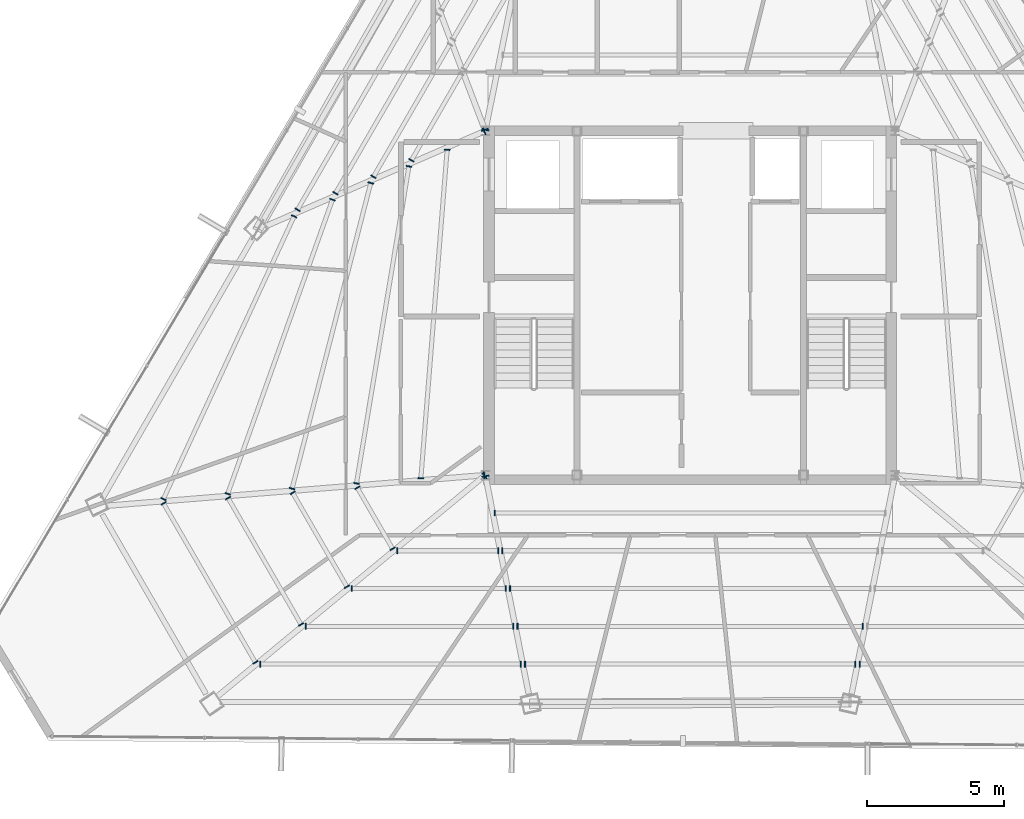
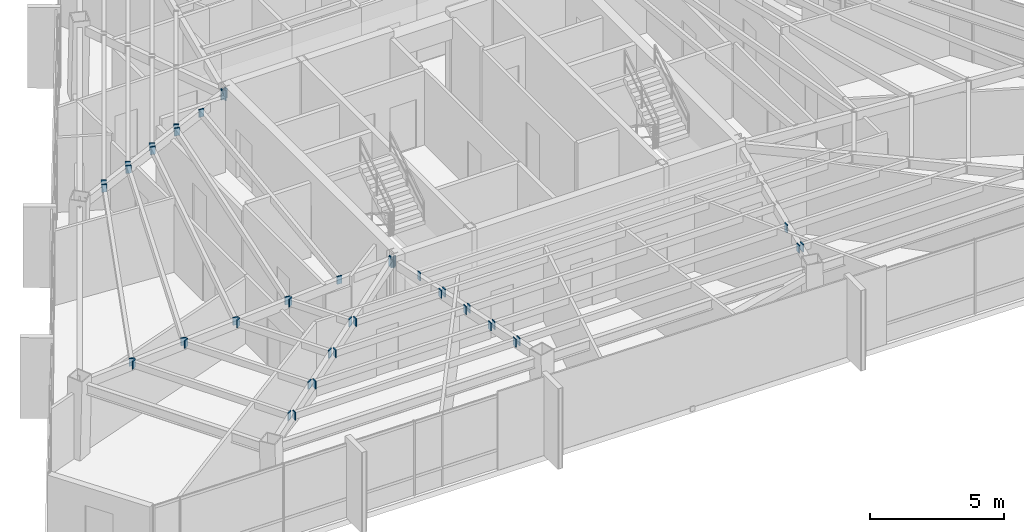
# One storey, part 36 of 45: 44 plates.
"""IFC4 building model written with IfcOpenShell, lengths in metres."""

from ifc_helpers import new_model, si_unit, direction, frame, origin, origin_2d, place, context, subcontext, project, spatial, rectangle, extrude, source, transform, mapped, material, layer, layer_set, type_object, type_shapes, element, save


model = new_model("IFC4")

# Units and contexts
model_context = context("Model", 3, precision=1e-05, world=origin(), true_north=direction((0.0, 1.0)))
body_context = subcontext(model_context, "Body", "Model", "MODEL_VIEW")
ifc_project = project(units=[si_unit("LENGTHUNIT", "METRE"), si_unit("AREAUNIT", "SQUARE_METRE"), si_unit("VOLUMEUNIT", "CUBIC_METRE"), si_unit("PLANEANGLEUNIT", "RADIAN"), si_unit("MASSUNIT", "GRAM", prefix="KILO")], contexts=[model_context])

# Site, building, storey
site_placement = place(None, origin())
site = spatial("IfcSite", under=ifc_project, at=site_placement, CompositionType="ELEMENT")
building_placement = place(site_placement, origin())
building = spatial("IfcBuilding", under=site, at=building_placement, Name="Caelisora Broadcast Tower", CompositionType="ELEMENT")
storey_placement = place(building_placement, frame((0.0, 0.0, 240.800048828125)))
storey = spatial("IfcBuildingStorey", under=building, at=storey_placement, Name="L63", CompositionType="ELEMENT", Elevation=240.800048828125)

# Plates
ifc_material = material(Name="Steel Grade 350 L15 (AS/NZS 3678)", Category="steel")
ifc_layer = layer(ifc_material, 0.0400390625, Name="Steel Grade 350 L15 (AS/NZS 3678)")
ifc_layer_set = layer_set([ifc_layer], Name="Steel Grade 350 L15 (AS/NZS 3678)")
plate_type = type_object("IfcPlateType", Name="GP04", PredefinedType="USERDEFINED", material=ifc_layer_set)
shared_shape_1 = source(origin(), body_context, "Body", "SweptSolid", [
    extrude(rectangle(XDim=0.260009765625, YDim=0.0400390625, at=origin_2d()), origin(), (0.0, 0.0, 1.0), 0.4599609375),
])
for number, where, z_axis, x_axis, name in (
    (1, (30.5078125, 30.039306640625, 2.969970703125), (0.0, 0.0, 1.0), (-0.980167547112, 0.198170582048, 0.0), "L63 gusset plate GP04 (ND-RAD-L63-02)"),
    (2, (30.48583984375, 30.037353515625, 2.969970703125), (0.0, 0.0, 1.0), (-0.934515431196, -0.355922616389, 0.0), "L63 gusset plate GP04 (ND-RAD-L63-03)"),
    (3, (30.46337890625, 29.984130859375, 2.969970703125), (0.0, 0.0, 1.0), (0.397948631308, -0.917407699357, 0.0), "L63 gusset plate GP04 (ND-RAD-L63-04)"),
    (4, (30.460205078125, 17.396728515625, 2.969970703125), (0.0, 0.0, 1.0), (0.080720825512, -0.996736749763, 0.0), "L63 gusset plate GP04 (ND-RAD-L63-05)"),
    (5, (30.46923828125, 17.37451171875, 2.969970703125), (0.0, 0.0, 1.0), (0.636885914735, -0.770958060864, 0.0), "L63 gusset plate GP04 (ND-RAD-L63-06)"),
    (6, (30.5078125, 17.36083984375, 2.969970703125), (0.0, 0.0, 1.0), (0.980853320018, 0.19474795149, 0.0), "L63 gusset plate GP04 (ND-RAD-L63-07)"),
):
    element("IfcPlate", number, at=place(storey_placement, frame(where, z_axis=z_axis, x_axis=x_axis)), inside=storey, type_object=plate_type, Name=name, ObjectType="GUSSET PLATE", PredefinedType="USERDEFINED", context=body_context, shape_type="MappedRepresentation", body=[
        mapped(shared_shape_1, transform((0.0, 0.0, 0.0), scale=1.0)),
    ])
shared_shape_2 = source(origin(), body_context, "Body", "SweptSolid", [
    extrude(rectangle(XDim=0.2099609375, YDim=0.0400390625, at=origin_2d()), origin(), (0.0, 0.0, 1.0), 0.360107421875),
])
type_shapes(plate_type, [shared_shape_1, shared_shape_2])
for number, where, z_axis, x_axis, name in (
    (7, (27.794677734375, 28.920654296875, 3.06982421875), (0.0, 0.0, 1.0), (0.866025403784, -0.5, 0.0), "L63 gusset plate GP04 (ND-SB-L63-010B)"),
    (8, (26.40576171875, 28.318115234375, 3.06982421875), (0.0, 0.0, 1.0), (0.866025403784, -0.5, 0.0), "L63 gusset plate GP04 (ND-SB-L63-011B)"),
    (9, (25.016845703125, 27.7158203125, 3.06982421875), (0.0, 0.0, 1.0), (0.866025403784, -0.5, 0.0), "L63 gusset plate GP04 (ND-SB-L63-012B)"),
    (10, (23.6279296875, 27.11328125, 3.06982421875), (0.0, 0.0, 1.0), (0.866025403784, -0.5, 0.0), "L63 gusset plate GP04 (ND-SB-L63-013B)"),
    (11, (29.10400390625, 29.3076171875, 3.06982421875), (0.0, 0.0, 1.0), (0.996820733877, -0.079677001159, 0.0), "L63 gusset plate GP04 (ND-SB-L63-014A)"),
    (12, (28.14208984375, 17.28662109375, 3.06982421875), (0.0, 0.0, 1.0), (0.996820733877, -0.079677001159, 0.0), "L63 gusset plate GP04 (ND-SB-L63-014B)"),
    (13, (27.70654296875, 28.700439453125, 3.06982421875), (0.0, 0.0, 1.0), (0.986572161607, -0.163325962242, 0.0), "L63 gusset plate GP04 (ND-SB-L63-015A)"),
    (14, (25.784912109375, 17.09619140625, 3.06982421875), (0.0, 0.0, 1.0), (0.986572161607, -0.163325962242, 0.0), "L63 gusset plate GP04 (ND-SB-L63-015B)"),
    (15, (26.3076171875, 28.09228515625, 3.06982421875), (0.0, 0.0, 1.0), (0.968452814643, -0.249197002009, 0.0), "L63 gusset plate GP04 (ND-SB-L63-016A)"),
    (16, (23.428466796875, 16.90576171875, 3.06982421875), (0.0, 0.0, 1.0), (0.968452814643, -0.249197002009, 0.0), "L63 gusset plate GP04 (ND-SB-L63-016B)"),
    (17, (24.90625, 27.48291015625, 3.06982421875), (0.0, 0.0, 1.0), (0.942057452787, -0.33545156975, 0.0), "L63 gusset plate GP04 (ND-SB-L63-017A)"),
    (18, (21.07275390625, 16.7158203125, 3.06982421875), (0.0, 0.0, 1.0), (0.942057452787, -0.33545156975, 0.0), "L63 gusset plate GP04 (ND-SB-L63-017B)"),
    (19, (23.502197265625, 26.872314453125, 3.06982421875), (0.0, 0.0, 1.0), (0.907704256508, -0.419610513116, 0.0), "L63 gusset plate GP04 (ND-SB-L63-018A)"),
    (20, (18.71826171875, 16.52587890625, 3.06982421875), (0.0, 0.0, 1.0), (0.907704256508, -0.419610513116, 0.0), "L63 gusset plate GP04 (ND-SB-L63-018B)"),
    (21, (25.815673828125, 16.941162109375, 3.06982421875), (0.0, 0.0, 1.0), (0.866025403784, 0.5, 0.0), "L63 gusset plate GP04 (ND-SB-L63-019A)"),
    (22, (27.10986328125, 14.69970703125, 3.06982421875), (0.0, 0.0, 1.0), (0.866025403784, 0.5, 0.0), "L63 gusset plate GP04 (ND-SB-L63-019B)"),
    (23, (23.45166015625, 16.74951171875, 3.06982421875), (0.0, 0.0, 1.0), (0.866025403784, 0.5, 0.0), "L63 gusset plate GP04 (ND-SB-L63-020A)"),
    (24, (25.434326171875, 13.3154296875, 3.06982421875), (0.0, 0.0, 1.0), (0.866025403784, 0.5, 0.0), "L63 gusset plate GP04 (ND-SB-L63-020B)"),
    (25, (21.087646484375, 16.55810546875, 3.06982421875), (0.0, 0.0, 1.0), (0.866025403784, 0.5, 0.0), "L63 gusset plate GP04 (ND-SB-L63-021A)"),
    (26, (23.7587890625, 11.931396484375, 3.06982421875), (0.0, 0.0, 1.0), (0.866025403784, 0.5, 0.0), "L63 gusset plate GP04 (ND-SB-L63-021B)"),
    (27, (18.723388671875, 16.36669921875, 3.06982421875), (0.0, 0.0, 1.0), (0.866025403784, 0.5, 0.0), "L63 gusset plate GP04 (ND-SB-L63-022A)"),
    (28, (22.08349609375, 10.547119140625, 3.06982421875), (0.0, 0.0, 1.0), (0.866025403784, 0.5, 0.0), "L63 gusset plate GP04 (ND-SB-L63-022B)"),
    (29, (27.282958984375, 14.631591796875, 3.06982421875), (0.0, 0.0, 1.0), (0.0, 1.0, 0.0), "L63 gusset plate GP04 (ND-SB-L63-023A)"),
    (30, (30.970703125, 14.631591796875, 3.06982421875), (0.0, 0.0, 1.0), (0.0, 1.0, 0.0), "L63 gusset plate GP04 (ND-SB-L63-023B)"),
    (31, (25.607421875, 13.24755859375, 3.06982421875), (0.0, 0.0, 1.0), (0.0, 1.0, 0.0), "L63 gusset plate GP04 (ND-SB-L63-024A)"),
    (32, (31.24560546875, 13.24755859375, 3.06982421875), (0.0, 0.0, 1.0), (0.0, 1.0, 0.0), "L63 gusset plate GP04 (ND-SB-L63-024B)"),
    (33, (23.93212890625, 11.863525390625, 3.06982421875), (0.0, 0.0, 1.0), (0.0, 1.0, 0.0), "L63 gusset plate GP04 (ND-SB-L63-025A)"),
    (34, (31.520263671875, 11.863525390625, 3.06982421875), (0.0, 0.0, 1.0), (0.0, 1.0, 0.0), "L63 gusset plate GP04 (ND-SB-L63-025B)"),
    (35, (22.256591796875, 10.479248046875, 3.06982421875), (0.0, 0.0, 1.0), (0.0, 1.0, 0.0), "L63 gusset plate GP04 (ND-SB-L63-026A)"),
    (36, (31.795166015625, 10.479248046875, 3.06982421875), (0.0, 0.0, 1.0), (0.0, 1.0, 0.0), "L63 gusset plate GP04 (ND-SB-L63-026B)"),
    (37, (30.853759765625, 16.015869140625, 3.06982421875), (0.0, 0.0, 1.0), (0.0, 1.0, 0.0), "L63 gusset plate GP04 (ND-SB-L63-027A)"),
    (38, (31.128662109375, 14.631591796875, 3.06982421875), (0.0, 0.0, 1.0), (0.0, 1.0, 0.0), "L63 gusset plate GP04 (ND-SB-L63-028A)"),
    (39, (31.403564453125, 13.24755859375, 3.06982421875), (0.0, 0.0, 1.0), (0.0, 1.0, 0.0), "L63 gusset plate GP04 (ND-SB-L63-029A)"),
    (40, (31.67822265625, 11.863525390625, 3.06982421875), (0.0, 0.0, 1.0), (0.0, 1.0, 0.0), "L63 gusset plate GP04 (ND-SB-L63-030A)"),
    (41, (44.32177734375, 11.863525390625, 3.06982421875), (0.0, 0.0, 1.0), (0.0, 1.0, 0.0), "L63 gusset plate GP04 (ND-SB-L63-030B)"),
    (42, (31.953125, 10.479248046875, 3.06982421875), (0.0, 0.0, 1.0), (0.0, 1.0, 0.0), "L63 gusset plate GP04 (ND-SB-L63-031A)"),
    (43, (44.046875, 10.479248046875, 3.06982421875), (0.0, 0.0, 1.0), (0.0, 1.0, 0.0), "L63 gusset plate GP04 (ND-SB-L63-031B)"),
    (44, (44.204833984375, 10.479248046875, 3.06982421875), (0.0, 0.0, 1.0), (0.0, 1.0, 0.0), "L63 gusset plate GP04 (ND-SB-L63-035A)"),
):
    element("IfcPlate", number, at=place(storey_placement, frame(where, z_axis=z_axis, x_axis=x_axis)), inside=storey, type_object=plate_type, Name=name, ObjectType="GUSSET PLATE", PredefinedType="USERDEFINED", context=body_context, shape_type="MappedRepresentation", body=[
        mapped(shared_shape_2, transform((0.0, 0.0, 0.0), scale=1.0)),
    ])

save(model, "model.ifc")
